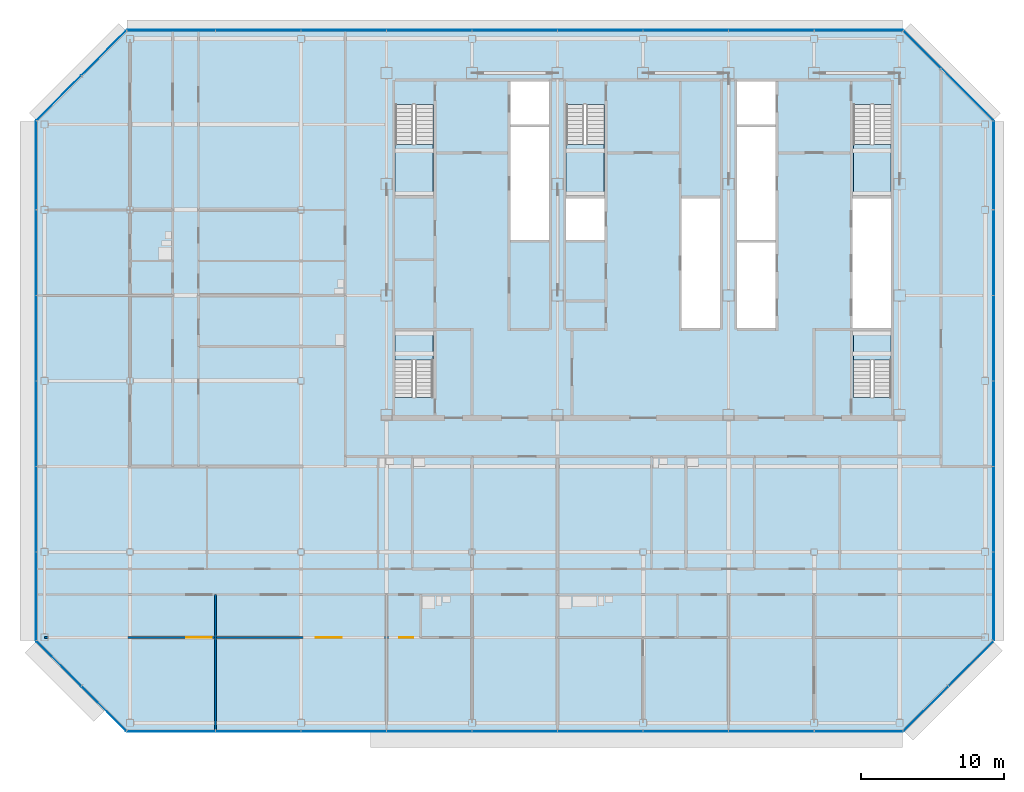
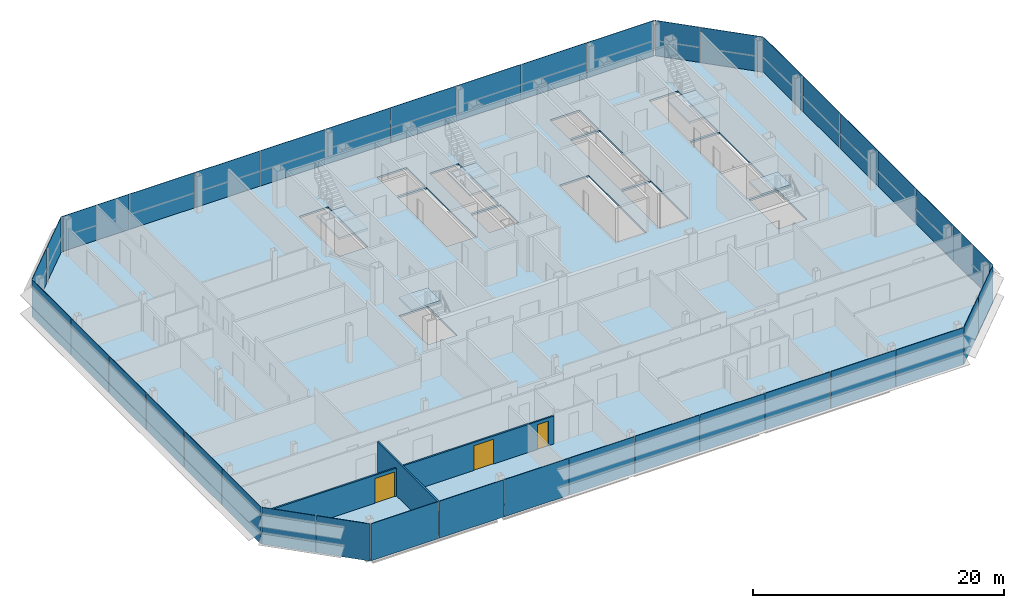
# One storey, part 20 of 27: 38 plates, 6 slabs, 3 doors, 2 walls, 3 openings, 13 elements without a shape of their own.
"""IFC4 building model written with IfcOpenShell, lengths in metres."""

from ifc_helpers import new_model, si_unit, direction, frame, frame_2d, origin, origin_2d, place, context, subcontext, project, spatial, polyline, rectangle, outline, extrude, material, layer, layer_set, type_object, element, fill, aggregate, save


model = new_model("IFC4")

# Units and contexts
model_context = context("Model", 3, precision=1e-05, world=origin(), true_north=direction((0.0, 1.0)))
body_context = subcontext(model_context, "Body", "Model", "MODEL_VIEW")
ifc_project = project(units=[si_unit("LENGTHUNIT", "METRE"), si_unit("AREAUNIT", "SQUARE_METRE"), si_unit("VOLUMEUNIT", "CUBIC_METRE"), si_unit("PLANEANGLEUNIT", "RADIAN"), si_unit("MASSUNIT", "GRAM", prefix="KILO")], contexts=[model_context])

# Site, building, storey
site_placement = place(None, origin())
site = spatial("IfcSite", under=ifc_project, at=site_placement, CompositionType="ELEMENT")
building_placement = place(site_placement, origin())
building = spatial("IfcBuilding", under=site, at=building_placement, Name="Sorahane Residences", CompositionType="ELEMENT")
storey_placement = place(building_placement, frame((0.0, 0.0, 323.199951171875)))
storey = spatial("IfcBuildingStorey", under=building, at=storey_placement, Name="L77", CompositionType="ELEMENT", Elevation=323.199951171875)

# Slab
ifc_material_1 = material(Name="Concrete C35", Category="concrete")
ifc_layer_1 = layer(ifc_material_1, 0.179931640625)
ifc_layer_set_1 = layer_set([ifc_layer_1], Name="Composite floor slab 180 mm Concrete C35")
slab_type_1 = type_object("IfcSlabType", Name="Composite floor slab 180 mm Concrete C35", PredefinedType="FLOOR", material=ifc_layer_set_1)
slab_1_placement = place(storey_placement, frame((0.0, 0.0, -0.179931640625)))
element("IfcSlab", 1, at=slab_1_placement, inside=storey, type_object=slab_type_1, Name="Slab L77", PredefinedType="FLOOR", context=body_context, shape_type="SweptSolid", body=[
    extrude(outline(polyline([(-12.24853515625, -0.60009765625), (-18.60009765625, 5.75146484375), (-18.60009765625, 42.24853515625), (-12.24853515625, 48.60009765625), (42.24853515625, 48.60009765625), (48.60009765625, 42.24853515625), (48.60009765625, 5.75146484375), (42.24853515625, -0.60009765625), (-12.24853515625, -0.60009765625)]), holes=[polyline([(38.699951171875, 27.699951171875), (41.39990234375, 27.699951171875), (41.39990234375, 36.800048828125), (38.699951171875, 36.800048828125), (38.699951171875, 27.699951171875)]), polyline([(30.60009765625, 27.699951171875), (33.300048828125, 27.699951171875), (33.300048828125, 33.699951171875), (30.60009765625, 33.699951171875), (30.60009765625, 27.699951171875)]), polyline([(30.60009765625, 42.0), (33.300048828125, 42.0), (33.300048828125, 45.0), (30.60009765625, 45.0), (30.60009765625, 42.0)]), polyline([(14.699951171875, 42.0), (17.39990234375, 42.0), (17.39990234375, 45.0), (14.699951171875, 45.0), (14.699951171875, 42.0)]), polyline([(6.60009765625, 43.39990234375), (6.60009765625, 37.0), (9.25, 37.0), (9.25, 43.39990234375), (6.60009765625, 43.39990234375)]), polyline([(38.75, 43.39990234375), (38.75, 37.0), (41.39990234375, 37.0), (41.39990234375, 43.39990234375), (38.75, 43.39990234375)]), polyline([(18.60009765625, 43.39990234375), (18.60009765625, 37.0), (21.25, 37.0), (21.25, 43.39990234375), (18.60009765625, 43.39990234375)]), polyline([(9.25, 22.85009765625), (9.25, 27.5), (6.60009765625, 27.5), (6.60009765625, 22.85009765625), (9.25, 22.85009765625)]), polyline([(41.39990234375, 22.85009765625), (41.39990234375, 27.5), (38.75, 27.5), (38.75, 22.85009765625), (41.39990234375, 22.85009765625)]), polyline([(14.699951171875, 33.89990234375), (17.39990234375, 33.89990234375), (17.39990234375, 41.800048828125), (14.699951171875, 41.800048828125), (14.699951171875, 33.89990234375)]), polyline([(30.60009765625, 33.89990234375), (33.300048828125, 33.89990234375), (33.300048828125, 41.800048828125), (30.60009765625, 41.800048828125), (30.60009765625, 33.89990234375)]), polyline([(18.60009765625, 33.89990234375), (21.300048828125, 33.89990234375), (21.300048828125, 36.800048828125), (18.60009765625, 36.800048828125), (18.60009765625, 33.89990234375)]), polyline([(26.699951171875, 27.699951171875), (29.39990234375, 27.699951171875), (29.39990234375, 36.800048828125), (26.699951171875, 36.800048828125), (26.699951171875, 27.699951171875)])]), origin(), (0.0, 0.0, 1.0), 0.179931640625),
])

# Curtain wall, plates
ifc_material_2 = material(Name="Dark low-e glass and black anodised aluminium", Category="aluminium")
curtain_wall_type_1 = type_object("IfcCurtainWallType", Name="Curtain wall CW-1 Typical unitised wall", PredefinedType="NOTDEFINED", material=ifc_material_2)
curtain_wall_1_placement = place(storey_placement, origin())
curtain_wall_1 = element("IfcCurtainWall", 2, at=curtain_wall_1_placement, inside=storey, type_object=curtain_wall_type_1, Name="CW-1 curtain wall L77 S1", PredefinedType="NOTDEFINED")
ifc_material_3 = material(Name="Dark low-e glass with black ceramic frit", Category="glass")
ifc_layer_2 = layer(ifc_material_3, 0.0400390625)
ifc_layer_set_2 = layer_set([ifc_layer_2], Name="Curtain wall glass panel dark low-e with black frit spandrel band")
plate_type = type_object("IfcPlateType", Name="Curtain wall glass panel dark low-e with black frit spandrel band", PredefinedType="CURTAIN_PANEL", material=ifc_layer_set_2)
plate_1_placement = place(storey_placement, frame((-9.11181640625, -0.60009765625, -0.179931640625), z_axis=(0.0, 0.0, 1.0), x_axis=(1.0, 0.0, 0.0)))
plate_1 = element("IfcPlate", 3, at=plate_1_placement, type_object=plate_type, Name="CW-1 glass panel L77 S1.1", PredefinedType="CURTAIN_PANEL", context=body_context, shape_type="SweptSolid", body=[
    extrude(rectangle(XDim=6.173583984375, YDim=0.0400390625, at=origin_2d()), origin(), (0.0, 0.0, 1.0), 3.60009765625),
])
plate_2_placement = place(storey_placement, frame((-3.0, -0.60009765625, -0.179931640625), z_axis=(0.0, 0.0, 1.0), x_axis=(1.0, 0.0, 0.0)))
plate_2 = element("IfcPlate", 4, at=plate_2_placement, type_object=plate_type, Name="CW-1 glass panel L77 S1.2", PredefinedType="CURTAIN_PANEL", context=body_context, shape_type="SweptSolid", body=[
    extrude(rectangle(XDim=5.949951171875, YDim=0.0400390625, at=origin_2d()), origin(), (0.0, 0.0, 1.0), 3.60009765625),
])
plate_3_placement = place(storey_placement, frame((3.0, -0.60009765625, -0.179931640625), z_axis=(0.0, 0.0, 1.0), x_axis=(1.0, 0.0, 0.0)))
plate_3 = element("IfcPlate", 5, at=plate_3_placement, type_object=plate_type, Name="CW-1 glass panel L77 S1.3", PredefinedType="CURTAIN_PANEL", context=body_context, shape_type="SweptSolid", body=[
    extrude(rectangle(XDim=5.949951171875, YDim=0.0400390625, at=origin_2d()), origin(), (0.0, 0.0, 1.0), 3.60009765625),
])
plate_4_placement = place(storey_placement, frame((9.0, -0.60009765625, -0.179931640625), z_axis=(0.0, 0.0, 1.0), x_axis=(1.0, 0.0, 0.0)))
plate_4 = element("IfcPlate", 6, at=plate_4_placement, type_object=plate_type, Name="CW-1 glass panel L77 S1.4", PredefinedType="CURTAIN_PANEL", context=body_context, shape_type="SweptSolid", body=[
    extrude(rectangle(XDim=5.949951171875, YDim=0.0400390625, at=origin_2d()), origin(), (0.0, 0.0, 1.0), 3.60009765625),
])
plate_5_placement = place(storey_placement, frame((15.0, -0.60009765625, -0.179931640625), z_axis=(0.0, 0.0, 1.0), x_axis=(1.0, 0.0, 0.0)))
plate_5 = element("IfcPlate", 7, at=plate_5_placement, type_object=plate_type, Name="CW-1 glass panel L77 S1.5", PredefinedType="CURTAIN_PANEL", context=body_context, shape_type="SweptSolid", body=[
    extrude(rectangle(XDim=5.949951171875, YDim=0.0400390625, at=origin_2d()), origin(), (0.0, 0.0, 1.0), 3.60009765625),
])
plate_6_placement = place(storey_placement, frame((21.0, -0.60009765625, -0.179931640625), z_axis=(0.0, 0.0, 1.0), x_axis=(1.0, 0.0, 0.0)))
plate_6 = element("IfcPlate", 8, at=plate_6_placement, type_object=plate_type, Name="CW-1 glass panel L77 S1.6", PredefinedType="CURTAIN_PANEL", context=body_context, shape_type="SweptSolid", body=[
    extrude(rectangle(XDim=5.949951171875, YDim=0.0400390625, at=origin_2d()), origin(), (0.0, 0.0, 1.0), 3.60009765625),
])
plate_7_placement = place(storey_placement, frame((27.0, -0.60009765625, -0.179931640625), z_axis=(0.0, 0.0, 1.0), x_axis=(1.0, 0.0, 0.0)))
plate_7 = element("IfcPlate", 9, at=plate_7_placement, type_object=plate_type, Name="CW-1 glass panel L77 S1.7", PredefinedType="CURTAIN_PANEL", context=body_context, shape_type="SweptSolid", body=[
    extrude(rectangle(XDim=5.949951171875, YDim=0.0400390625, at=origin_2d()), origin(), (0.0, 0.0, 1.0), 3.60009765625),
])
plate_8_placement = place(storey_placement, frame((33.0, -0.60009765625, -0.179931640625), z_axis=(0.0, 0.0, 1.0), x_axis=(1.0, 0.0, 0.0)))
plate_8 = element("IfcPlate", 10, at=plate_8_placement, type_object=plate_type, Name="CW-1 glass panel L77 S1.8", PredefinedType="CURTAIN_PANEL", context=body_context, shape_type="SweptSolid", body=[
    extrude(rectangle(XDim=5.949951171875, YDim=0.0400390625, at=origin_2d()), origin(), (0.0, 0.0, 1.0), 3.60009765625),
])
plate_9_placement = place(storey_placement, frame((39.11181640625, -0.60009765625, -0.179931640625), z_axis=(0.0, 0.0, 1.0), x_axis=(1.0, 0.0, 0.0)))
plate_9 = element("IfcPlate", 11, at=plate_9_placement, type_object=plate_type, Name="CW-1 glass panel L77 S1.9", PredefinedType="CURTAIN_PANEL", context=body_context, shape_type="SweptSolid", body=[
    extrude(rectangle(XDim=6.173583984375, YDim=0.0400390625, at=origin_2d()), origin(), (0.0, 0.0, 1.0), 3.60009765625),
])
aggregate(curtain_wall_1, [plate_1, plate_2, plate_3, plate_4, plate_5, plate_6, plate_7, plate_8, plate_9])

ifc_material_4 = material(Name="Dark low-e glass and black anodised aluminium", Category="aluminium")
curtain_wall_type_2 = type_object("IfcCurtainWallType", Name="Curtain wall CW-2 Chamfer unitised wall", PredefinedType="NOTDEFINED", material=ifc_material_4)
curtain_wall_2_placement = place(storey_placement, origin())
curtain_wall_2 = element("IfcCurtainWall", 12, at=curtain_wall_2_placement, inside=storey, type_object=curtain_wall_type_2, Name="CW-2 curtain wall L77 SE1", PredefinedType="NOTDEFINED")
plate_10_placement = place(storey_placement, frame((43.84521484375, 0.996826171875, -0.179931640625), z_axis=(0.0, 0.0, 1.0), x_axis=(0.707106781187, 0.707106781187, 0.0)))
plate_10 = element("IfcPlate", 13, at=plate_10_placement, type_object=plate_type, Name="CW-2 glass panel L77 SE1.1", PredefinedType="CURTAIN_PANEL", context=body_context, shape_type="SweptSolid", body=[
    extrude(rectangle(XDim=4.416259765625, YDim=0.0400390625, at=origin_2d()), origin(), (0.0, 0.0, 1.0), 3.60009765625),
])
plate_11_placement = place(storey_placement, frame((47.003173828125, 4.15478515625, -0.179931640625), z_axis=(0.0, 0.0, 1.0), x_axis=(0.707106781187, 0.707106781187, 0.0)))
plate_11 = element("IfcPlate", 14, at=plate_11_placement, type_object=plate_type, Name="CW-2 glass panel L77 SE1.2", PredefinedType="CURTAIN_PANEL", context=body_context, shape_type="SweptSolid", body=[
    extrude(rectangle(XDim=4.416259765625, YDim=0.0400390625, at=origin_2d()), origin(), (0.0, 0.0, 1.0), 3.60009765625),
])
aggregate(curtain_wall_2, [plate_10, plate_11])

curtain_wall_3_placement = place(storey_placement, origin())
curtain_wall_3 = element("IfcCurtainWall", 15, at=curtain_wall_3_placement, inside=storey, type_object=curtain_wall_type_1, Name="CW-1 curtain wall L77 E1", PredefinedType="NOTDEFINED")
plate_12_placement = place(storey_placement, frame((48.60009765625, 8.88818359375, -0.179931640625), z_axis=(0.0, 0.0, 1.0), x_axis=(0.0, 1.0, 0.0)))
plate_12 = element("IfcPlate", 16, at=plate_12_placement, type_object=plate_type, Name="CW-1 glass panel L77 E1.1", PredefinedType="CURTAIN_PANEL", context=body_context, shape_type="SweptSolid", body=[
    extrude(rectangle(XDim=6.173583984375, YDim=0.0400390625, at=origin_2d()), origin(), (0.0, 0.0, 1.0), 3.60009765625),
])
plate_13_placement = place(storey_placement, frame((48.60009765625, 15.0, -0.179931640625), z_axis=(0.0, 0.0, 1.0), x_axis=(0.0, 1.0, 0.0)))
plate_13 = element("IfcPlate", 17, at=plate_13_placement, type_object=plate_type, Name="CW-1 glass panel L77 E1.2", PredefinedType="CURTAIN_PANEL", context=body_context, shape_type="SweptSolid", body=[
    extrude(rectangle(XDim=5.949951171875, YDim=0.0400390625, at=origin_2d()), origin(), (0.0, 0.0, 1.0), 3.60009765625),
])
plate_14_placement = place(storey_placement, frame((48.60009765625, 21.0, -0.179931640625), z_axis=(0.0, 0.0, 1.0), x_axis=(0.0, 1.0, 0.0)))
plate_14 = element("IfcPlate", 18, at=plate_14_placement, type_object=plate_type, Name="CW-1 glass panel L77 E1.3", PredefinedType="CURTAIN_PANEL", context=body_context, shape_type="SweptSolid", body=[
    extrude(rectangle(XDim=5.949951171875, YDim=0.0400390625, at=origin_2d()), origin(), (0.0, 0.0, 1.0), 3.60009765625),
])
plate_15_placement = place(storey_placement, frame((48.60009765625, 27.0, -0.179931640625), z_axis=(0.0, 0.0, 1.0), x_axis=(0.0, 1.0, 0.0)))
plate_15 = element("IfcPlate", 19, at=plate_15_placement, type_object=plate_type, Name="CW-1 glass panel L77 E1.4", PredefinedType="CURTAIN_PANEL", context=body_context, shape_type="SweptSolid", body=[
    extrude(rectangle(XDim=5.949951171875, YDim=0.0400390625, at=origin_2d()), origin(), (0.0, 0.0, 1.0), 3.60009765625),
])
plate_16_placement = place(storey_placement, frame((48.60009765625, 33.0, -0.179931640625), z_axis=(0.0, 0.0, 1.0), x_axis=(0.0, 1.0, 0.0)))
plate_16 = element("IfcPlate", 20, at=plate_16_placement, type_object=plate_type, Name="CW-1 glass panel L77 E1.5", PredefinedType="CURTAIN_PANEL", context=body_context, shape_type="SweptSolid", body=[
    extrude(rectangle(XDim=5.949951171875, YDim=0.0400390625, at=origin_2d()), origin(), (0.0, 0.0, 1.0), 3.60009765625),
])
plate_17_placement = place(storey_placement, frame((48.60009765625, 39.11181640625, -0.179931640625), z_axis=(0.0, 0.0, 1.0), x_axis=(0.0, 1.0, 0.0)))
plate_17 = element("IfcPlate", 21, at=plate_17_placement, type_object=plate_type, Name="CW-1 glass panel L77 E1.6", PredefinedType="CURTAIN_PANEL", context=body_context, shape_type="SweptSolid", body=[
    extrude(rectangle(XDim=6.173583984375, YDim=0.0400390625, at=origin_2d()), origin(), (0.0, 0.0, 1.0), 3.60009765625),
])
aggregate(curtain_wall_3, [plate_12, plate_13, plate_14, plate_15, plate_16, plate_17])

curtain_wall_4_placement = place(storey_placement, origin())
curtain_wall_4 = element("IfcCurtainWall", 22, at=curtain_wall_4_placement, inside=storey, type_object=curtain_wall_type_2, Name="CW-2 curtain wall L77 NE1", PredefinedType="NOTDEFINED")
plate_18_placement = place(storey_placement, frame((46.740966796875, 44.107421875, -0.179931640625), z_axis=(0.0, 0.0, 1.0), x_axis=(-0.707106781187, 0.707106781187, 0.0)))
plate_18 = element("IfcPlate", 23, at=plate_18_placement, type_object=plate_type, Name="CW-2 glass panel L77 NE1.1", PredefinedType="CURTAIN_PANEL", context=body_context, shape_type="SweptSolid", body=[
    extrude(rectangle(XDim=5.157958984375, YDim=0.0400390625, at=origin_2d()), origin(), (0.0, 0.0, 1.0), 3.60009765625),
])
plate_19_placement = place(storey_placement, frame((43.5830078125, 47.265625, -0.179931640625), z_axis=(0.0, 0.0, 1.0), x_axis=(-0.707106781187, 0.707106781187, 0.0)))
plate_19 = element("IfcPlate", 24, at=plate_19_placement, type_object=plate_type, Name="CW-2 glass panel L77 NE1.2", PredefinedType="CURTAIN_PANEL", context=body_context, shape_type="SweptSolid", body=[
    extrude(rectangle(XDim=3.67431640625, YDim=0.0400390625, at=origin_2d()), origin(), (0.0, 0.0, 1.0), 3.60009765625),
])
aggregate(curtain_wall_4, [plate_18, plate_19])

curtain_wall_5_placement = place(storey_placement, origin())
curtain_wall_5 = element("IfcCurtainWall", 25, at=curtain_wall_5_placement, inside=storey, type_object=curtain_wall_type_1, Name="CW-1 curtain wall L77 N1", PredefinedType="NOTDEFINED")
plate_20_placement = place(storey_placement, frame((39.11181640625, 48.60009765625, -0.179931640625), z_axis=(0.0, 0.0, 1.0), x_axis=(-1.0, 0.0, 0.0)))
plate_20 = element("IfcPlate", 26, at=plate_20_placement, type_object=plate_type, Name="CW-1 glass panel L77 N1.1", PredefinedType="CURTAIN_PANEL", context=body_context, shape_type="SweptSolid", body=[
    extrude(rectangle(XDim=6.173583984375, YDim=0.0400390625, at=origin_2d()), origin(), (0.0, 0.0, 1.0), 3.60009765625),
])
plate_21_placement = place(storey_placement, frame((33.0, 48.60009765625, -0.179931640625), z_axis=(0.0, 0.0, 1.0), x_axis=(-1.0, 0.0, 0.0)))
plate_21 = element("IfcPlate", 27, at=plate_21_placement, type_object=plate_type, Name="CW-1 glass panel L77 N1.2", PredefinedType="CURTAIN_PANEL", context=body_context, shape_type="SweptSolid", body=[
    extrude(rectangle(XDim=5.949951171875, YDim=0.0400390625, at=origin_2d()), origin(), (0.0, 0.0, 1.0), 3.60009765625),
])
plate_22_placement = place(storey_placement, frame((27.0, 48.60009765625, -0.179931640625), z_axis=(0.0, 0.0, 1.0), x_axis=(-1.0, 0.0, 0.0)))
plate_22 = element("IfcPlate", 28, at=plate_22_placement, type_object=plate_type, Name="CW-1 glass panel L77 N1.3", PredefinedType="CURTAIN_PANEL", context=body_context, shape_type="SweptSolid", body=[
    extrude(rectangle(XDim=5.949951171875, YDim=0.0400390625, at=origin_2d()), origin(), (0.0, 0.0, 1.0), 3.60009765625),
])
plate_23_placement = place(storey_placement, frame((21.0, 48.60009765625, -0.179931640625), z_axis=(0.0, 0.0, 1.0), x_axis=(-1.0, 0.0, 0.0)))
plate_23 = element("IfcPlate", 29, at=plate_23_placement, type_object=plate_type, Name="CW-1 glass panel L77 N1.4", PredefinedType="CURTAIN_PANEL", context=body_context, shape_type="SweptSolid", body=[
    extrude(rectangle(XDim=5.949951171875, YDim=0.0400390625, at=origin_2d()), origin(), (0.0, 0.0, 1.0), 3.60009765625),
])
plate_24_placement = place(storey_placement, frame((15.0, 48.60009765625, -0.179931640625), z_axis=(0.0, 0.0, 1.0), x_axis=(-1.0, 0.0, 0.0)))
plate_24 = element("IfcPlate", 30, at=plate_24_placement, type_object=plate_type, Name="CW-1 glass panel L77 N1.5", PredefinedType="CURTAIN_PANEL", context=body_context, shape_type="SweptSolid", body=[
    extrude(rectangle(XDim=5.949951171875, YDim=0.0400390625, at=origin_2d()), origin(), (0.0, 0.0, 1.0), 3.60009765625),
])
plate_25_placement = place(storey_placement, frame((9.0, 48.60009765625, -0.179931640625), z_axis=(0.0, 0.0, 1.0), x_axis=(-1.0, 0.0, 0.0)))
plate_25 = element("IfcPlate", 31, at=plate_25_placement, type_object=plate_type, Name="CW-1 glass panel L77 N1.6", PredefinedType="CURTAIN_PANEL", context=body_context, shape_type="SweptSolid", body=[
    extrude(rectangle(XDim=5.949951171875, YDim=0.0400390625, at=origin_2d()), origin(), (0.0, 0.0, 1.0), 3.60009765625),
])
plate_26_placement = place(storey_placement, frame((3.0, 48.60009765625, -0.179931640625), z_axis=(0.0, 0.0, 1.0), x_axis=(-1.0, 0.0, 0.0)))
plate_26 = element("IfcPlate", 32, at=plate_26_placement, type_object=plate_type, Name="CW-1 glass panel L77 N1.7", PredefinedType="CURTAIN_PANEL", context=body_context, shape_type="SweptSolid", body=[
    extrude(rectangle(XDim=5.949951171875, YDim=0.0400390625, at=origin_2d()), origin(), (0.0, 0.0, 1.0), 3.60009765625),
])
plate_27_placement = place(storey_placement, frame((-3.0, 48.60009765625, -0.179931640625), z_axis=(0.0, 0.0, 1.0), x_axis=(-1.0, 0.0, 0.0)))
plate_27 = element("IfcPlate", 33, at=plate_27_placement, type_object=plate_type, Name="CW-1 glass panel L77 N1.8", PredefinedType="CURTAIN_PANEL", context=body_context, shape_type="SweptSolid", body=[
    extrude(rectangle(XDim=5.949951171875, YDim=0.0400390625, at=origin_2d()), origin(), (0.0, 0.0, 1.0), 3.60009765625),
])
plate_28_placement = place(storey_placement, frame((-9.11181640625, 48.60009765625, -0.179931640625), z_axis=(0.0, 0.0, 1.0), x_axis=(-1.0, 0.0, 0.0)))
plate_28 = element("IfcPlate", 34, at=plate_28_placement, type_object=plate_type, Name="CW-1 glass panel L77 N1.9", PredefinedType="CURTAIN_PANEL", context=body_context, shape_type="SweptSolid", body=[
    extrude(rectangle(XDim=6.173583984375, YDim=0.0400390625, at=origin_2d()), origin(), (0.0, 0.0, 1.0), 3.60009765625),
])
aggregate(curtain_wall_5, [plate_20, plate_21, plate_22, plate_23, plate_24, plate_25, plate_26, plate_27, plate_28])

curtain_wall_6_placement = place(storey_placement, origin())
curtain_wall_6 = element("IfcCurtainWall", 35, at=curtain_wall_6_placement, inside=storey, type_object=curtain_wall_type_2, Name="CW-2 curtain wall L77 NW1", PredefinedType="NOTDEFINED")
plate_29_placement = place(storey_placement, frame((-13.84521484375, 47.003173828125, -0.179931640625), z_axis=(0.0, 0.0, 1.0), x_axis=(-0.707106781187, -0.707106781187, 0.0)))
plate_29 = element("IfcPlate", 36, at=plate_29_placement, type_object=plate_type, Name="CW-2 glass panel L77 NW1.1", PredefinedType="CURTAIN_PANEL", context=body_context, shape_type="SweptSolid", body=[
    extrude(rectangle(XDim=4.416259765625, YDim=0.0400390625, at=origin_2d()), origin(), (0.0, 0.0, 1.0), 3.60009765625),
])
plate_30_placement = place(storey_placement, frame((-17.003173828125, 43.84521484375, -0.179931640625), z_axis=(0.0, 0.0, 1.0), x_axis=(-0.707106781187, -0.707106781187, 0.0)))
plate_30 = element("IfcPlate", 37, at=plate_30_placement, type_object=plate_type, Name="CW-2 glass panel L77 NW1.2", PredefinedType="CURTAIN_PANEL", context=body_context, shape_type="SweptSolid", body=[
    extrude(rectangle(XDim=4.416259765625, YDim=0.0400390625, at=origin_2d()), origin(), (0.0, 0.0, 1.0), 3.60009765625),
])
aggregate(curtain_wall_6, [plate_29, plate_30])

curtain_wall_7_placement = place(storey_placement, origin())
curtain_wall_7 = element("IfcCurtainWall", 38, at=curtain_wall_7_placement, inside=storey, type_object=curtain_wall_type_1, Name="CW-1 curtain wall L77 W1", PredefinedType="NOTDEFINED")
plate_31_placement = place(storey_placement, frame((-18.60009765625, 39.11181640625, -0.179931640625), z_axis=(0.0, 0.0, 1.0), x_axis=(0.0, -1.0, 0.0)))
plate_31 = element("IfcPlate", 39, at=plate_31_placement, type_object=plate_type, Name="CW-1 glass panel L77 W1.1", PredefinedType="CURTAIN_PANEL", context=body_context, shape_type="SweptSolid", body=[
    extrude(rectangle(XDim=6.173583984375, YDim=0.0400390625, at=origin_2d()), origin(), (0.0, 0.0, 1.0), 3.60009765625),
])
plate_32_placement = place(storey_placement, frame((-18.60009765625, 33.0, -0.179931640625), z_axis=(0.0, 0.0, 1.0), x_axis=(0.0, -1.0, 0.0)))
plate_32 = element("IfcPlate", 40, at=plate_32_placement, type_object=plate_type, Name="CW-1 glass panel L77 W1.2", PredefinedType="CURTAIN_PANEL", context=body_context, shape_type="SweptSolid", body=[
    extrude(rectangle(XDim=5.949951171875, YDim=0.0400390625, at=origin_2d()), origin(), (0.0, 0.0, 1.0), 3.60009765625),
])
plate_33_placement = place(storey_placement, frame((-18.60009765625, 27.0, -0.179931640625), z_axis=(0.0, 0.0, 1.0), x_axis=(0.0, -1.0, 0.0)))
plate_33 = element("IfcPlate", 41, at=plate_33_placement, type_object=plate_type, Name="CW-1 glass panel L77 W1.3", PredefinedType="CURTAIN_PANEL", context=body_context, shape_type="SweptSolid", body=[
    extrude(rectangle(XDim=5.949951171875, YDim=0.0400390625, at=origin_2d()), origin(), (0.0, 0.0, 1.0), 3.60009765625),
])
plate_34_placement = place(storey_placement, frame((-18.60009765625, 21.0, -0.179931640625), z_axis=(0.0, 0.0, 1.0), x_axis=(0.0, -1.0, 0.0)))
plate_34 = element("IfcPlate", 42, at=plate_34_placement, type_object=plate_type, Name="CW-1 glass panel L77 W1.4", PredefinedType="CURTAIN_PANEL", context=body_context, shape_type="SweptSolid", body=[
    extrude(rectangle(XDim=5.949951171875, YDim=0.0400390625, at=origin_2d()), origin(), (0.0, 0.0, 1.0), 3.60009765625),
])
plate_35_placement = place(storey_placement, frame((-18.60009765625, 15.0, -0.179931640625), z_axis=(0.0, 0.0, 1.0), x_axis=(0.0, -1.0, 0.0)))
plate_35 = element("IfcPlate", 43, at=plate_35_placement, type_object=plate_type, Name="CW-1 glass panel L77 W1.5", PredefinedType="CURTAIN_PANEL", context=body_context, shape_type="SweptSolid", body=[
    extrude(rectangle(XDim=5.949951171875, YDim=0.0400390625, at=origin_2d()), origin(), (0.0, 0.0, 1.0), 3.60009765625),
])
plate_36_placement = place(storey_placement, frame((-18.60009765625, 8.88818359375, -0.179931640625), z_axis=(0.0, 0.0, 1.0), x_axis=(0.0, -1.0, 0.0)))
plate_36 = element("IfcPlate", 44, at=plate_36_placement, type_object=plate_type, Name="CW-1 glass panel L77 W1.6", PredefinedType="CURTAIN_PANEL", context=body_context, shape_type="SweptSolid", body=[
    extrude(rectangle(XDim=6.173583984375, YDim=0.0400390625, at=origin_2d()), origin(), (0.0, 0.0, 1.0), 3.60009765625),
])
aggregate(curtain_wall_7, [plate_31, plate_32, plate_33, plate_34, plate_35, plate_36])

curtain_wall_8_placement = place(storey_placement, origin())
curtain_wall_8 = element("IfcCurtainWall", 45, at=curtain_wall_8_placement, inside=storey, type_object=curtain_wall_type_2, Name="CW-2 curtain wall L77 SW1", PredefinedType="NOTDEFINED")
plate_37_placement = place(storey_placement, frame((-17.003173828125, 4.15478515625, -0.179931640625), z_axis=(0.0, 0.0, 1.0), x_axis=(0.707106781187, -0.707106781187, 0.0)))
plate_37 = element("IfcPlate", 46, at=plate_37_placement, type_object=plate_type, Name="CW-2 glass panel L77 SW1.1", PredefinedType="CURTAIN_PANEL", context=body_context, shape_type="SweptSolid", body=[
    extrude(rectangle(XDim=4.416259765625, YDim=0.0400390625, at=origin_2d()), origin(), (0.0, 0.0, 1.0), 3.60009765625),
])
plate_38_placement = place(storey_placement, frame((-13.84521484375, 0.996826171875, -0.179931640625), z_axis=(0.0, 0.0, 1.0), x_axis=(0.707106781187, -0.707106781187, 0.0)))
plate_38 = element("IfcPlate", 47, at=plate_38_placement, type_object=plate_type, Name="CW-2 glass panel L77 SW1.2", PredefinedType="CURTAIN_PANEL", context=body_context, shape_type="SweptSolid", body=[
    extrude(rectangle(XDim=4.416259765625, YDim=0.0400390625, at=origin_2d()), origin(), (0.0, 0.0, 1.0), 3.60009765625),
])
aggregate(curtain_wall_8, [plate_37, plate_38])

# Stair, slab
ifc_material_5 = material(Name="Concrete C40", Category="concrete")
stair_type = type_object("IfcStairType", Name="Dog-leg stair 1250 Concrete C40", PredefinedType="HALF_TURN_STAIR", material=ifc_material_5)
stair_1_placement = place(storey_placement, origin())
stair_1 = element("IfcStair", 48, at=stair_1_placement, inside=storey, type_object=stair_type, Name="L77 Stair S1", PredefinedType="HALF_TURN_STAIR")
ifc_material_6 = material(Name="Concrete C40", Category="concrete")
ifc_layer_3 = layer(ifc_material_6, 0.199951171875)
ifc_layer_set_3 = layer_set([ifc_layer_3], Name="Stair landing 200 Concrete C40")
slab_type_2 = type_object("IfcSlabType", Name="Stair landing 200 Concrete C40", PredefinedType="LANDING", material=ifc_layer_set_3)
slab_2_placement = place(storey_placement, frame((0.0, 0.0, 1.60009765625)))
slab_2 = element("IfcSlab", 49, at=slab_2_placement, type_object=slab_type_2, Name="S1 landing 1", PredefinedType="LANDING", context=body_context, shape_type="SweptSolid", body=[
    extrude(outline(polyline([(6.60009765625, 40.60009765625), (6.60009765625, 37.0), (9.25, 37.0), (9.25, 40.60009765625), (6.60009765625, 40.60009765625)])), origin(), (0.0, 0.0, 1.0), 0.199951171875),
])
aggregate(stair_1, [slab_2])

stair_2_placement = place(storey_placement, origin())
stair_2 = element("IfcStair", 50, at=stair_2_placement, inside=storey, type_object=stair_type, Name="L77 Stair S2", PredefinedType="HALF_TURN_STAIR")
slab_3_placement = place(storey_placement, frame((0.0, 0.0, 1.60009765625)))
slab_3 = element("IfcSlab", 51, at=slab_3_placement, type_object=slab_type_2, Name="S2 landing 1", PredefinedType="LANDING", context=body_context, shape_type="SweptSolid", body=[
    extrude(outline(polyline([(38.75, 40.60009765625), (38.75, 37.0), (41.39990234375, 37.0), (41.39990234375, 40.60009765625), (38.75, 40.60009765625)])), origin(), (0.0, 0.0, 1.0), 0.199951171875),
])
aggregate(stair_2, [slab_3])

stair_3_placement = place(storey_placement, origin())
stair_3 = element("IfcStair", 52, at=stair_3_placement, inside=storey, type_object=stair_type, Name="L77 Stair S3", PredefinedType="HALF_TURN_STAIR")
slab_4_placement = place(storey_placement, frame((0.0, 0.0, 1.60009765625)))
slab_4 = element("IfcSlab", 53, at=slab_4_placement, type_object=slab_type_2, Name="S3 landing 1", PredefinedType="LANDING", context=body_context, shape_type="SweptSolid", body=[
    extrude(outline(polyline([(18.60009765625, 40.60009765625), (18.60009765625, 37.0), (21.25, 37.0), (21.25, 40.60009765625), (18.60009765625, 40.60009765625)])), origin(), (0.0, 0.0, 1.0), 0.199951171875),
])
aggregate(stair_3, [slab_4])

stair_4_placement = place(storey_placement, origin())
stair_4 = element("IfcStair", 54, at=stair_4_placement, inside=storey, type_object=stair_type, Name="L77 Stair S4", PredefinedType="HALF_TURN_STAIR")
slab_5_placement = place(storey_placement, frame((0.0, 0.0, 1.60009765625)))
slab_5 = element("IfcSlab", 55, at=slab_5_placement, type_object=slab_type_2, Name="S4 landing 1", PredefinedType="LANDING", context=body_context, shape_type="SweptSolid", body=[
    extrude(outline(polyline([(9.25, 25.449951171875), (9.25, 27.5), (6.60009765625, 27.5), (6.60009765625, 25.449951171875), (9.25, 25.449951171875)])), origin(), (0.0, 0.0, 1.0), 0.199951171875),
])
aggregate(stair_4, [slab_5])

stair_5_placement = place(storey_placement, origin())
stair_5 = element("IfcStair", 56, at=stair_5_placement, inside=storey, type_object=stair_type, Name="L77 Stair S5", PredefinedType="HALF_TURN_STAIR")
slab_6_placement = place(storey_placement, frame((0.0, 0.0, 1.60009765625)))
slab_6 = element("IfcSlab", 57, at=slab_6_placement, type_object=slab_type_2, Name="S5 landing 1", PredefinedType="LANDING", context=body_context, shape_type="SweptSolid", body=[
    extrude(outline(polyline([(41.39990234375, 25.449951171875), (41.39990234375, 27.5), (38.75, 27.5), (38.75, 25.449951171875), (41.39990234375, 25.449951171875)])), origin(), (0.0, 0.0, 1.0), 0.199951171875),
])
aggregate(stair_5, [slab_6])

# Wall
ifc_material_7 = material(Name="Gypsum board partition on steel studs", Category="steel")
ifc_layer_4 = layer(ifc_material_7, 0.14990234375)
ifc_layer_set_4 = layer_set([ifc_layer_4], Name="Partition 150 EI 90")
wall_type = type_object("IfcWallType", Name="Partition 150 EI 90", PredefinedType="PARTITIONING", material=ifc_layer_set_4)
wall_1_placement = place(storey_placement, frame((-6.0, -0.60009765625, 0.0), z_axis=(0.0, 0.0, 1.0), x_axis=(0.0, 1.0, 0.0)))
element("IfcWall", 58, at=wall_1_placement, inside=storey, type_object=wall_type, Name="L77 partition", PredefinedType="PARTITIONING", context=body_context, shape_type="SweptSolid", body=[
    extrude(rectangle(XDim=9.60009765625, YDim=0.14990234375, at=frame_2d((4.800048828125, 0.0))), origin(), (0.0, 0.0, 1.0), 3.420166015625),
])

# Wall, openings, doors
wall_2_placement = place(storey_placement, frame((-18.0, 6.0, 0.0), z_axis=(0.0, 0.0, 1.0), x_axis=(1.0, 0.0, 0.0)))
wall_2 = element("IfcWall", 59, at=wall_2_placement, inside=storey, type_object=wall_type, Name="L77 partition", PredefinedType="PARTITIONING", context=body_context, shape_type="SweptSolid", body=[
    extrude(rectangle(XDim=26.39990234375, YDim=0.14990234375, at=frame_2d((13.199951171875, 0.0))), origin(), (0.0, 0.0, 1.0), 2.719970703125),
])
opening_1_placement = place(wall_2_placement, frame((9.949951171875, 0.0, 0.0)))
opening_1 = element("IfcOpeningElement", 60, at=opening_1_placement, cuts=wall_2, Name="Opening L77-10", PredefinedType="OPENING", context=body_context, shape_type="SweptSolid", body=[
    extrude(rectangle(XDim=1.800048828125, YDim=2.39990234375, at=frame_2d((0.89990234375, 1.199951171875))), frame((0.0, 0.0849609375, 0.0), z_axis=(0.0, -1.0, 0.0), x_axis=(1.0, 0.0, 0.0)), (0.0, 0.0, 1.0), 0.169921875),
])
opening_2_placement = place(wall_2_placement, frame((19.0400390625, 0.0, 0.0)))
opening_2 = element("IfcOpeningElement", 61, at=opening_2_placement, cuts=wall_2, Name="Opening L77-11", PredefinedType="OPENING", context=body_context, shape_type="SweptSolid", body=[
    extrude(rectangle(XDim=1.800048828125, YDim=2.39990234375, at=frame_2d((0.89990234375, 1.199951171875))), frame((0.0, 0.0849609375, 0.0), z_axis=(0.0, -1.0, 0.0), x_axis=(1.0, 0.0, 0.0)), (0.0, 0.0, 1.0), 0.169921875),
])
opening_3_placement = place(wall_2_placement, frame((24.8798828125, 0.0, 0.0)))
opening_3 = element("IfcOpeningElement", 62, at=opening_3_placement, cuts=wall_2, Name="Opening L77-12", PredefinedType="OPENING", context=body_context, shape_type="SweptSolid", body=[
    extrude(rectangle(XDim=1.0, YDim=2.39990234375, at=frame_2d((0.5, 1.199951171875))), frame((0.0, 0.0849609375, 0.0), z_axis=(0.0, -1.0, 0.0), x_axis=(1.0, 0.0, 0.0)), (0.0, 0.0, 1.0), 0.169921875),
])
ifc_material_8 = material(Name="Timber veneered fire door", Category="wood")
door_type_1 = type_object("IfcDoorType", Name="Double door 1800x2400 FD30", OperationType="NOTDEFINED", PredefinedType="DOOR", material=ifc_material_8)
door_1_placement = place(opening_1_placement, frame((1.800048828125, 0.0, 0.0), z_axis=(0.0, 0.0, 1.0), x_axis=(-1.0, 0.0, 0.0)))
door_1 = element("IfcDoor", 63, at=door_1_placement, inside=storey, type_object=door_type_1, Name="Double door L77-10", OperationType="SINGLE_SWING_RIGHT", OverallHeight=2.39990234375, OverallWidth=1.800048828125, PredefinedType="DOOR", context=body_context, shape_type="SweptSolid", body=[
    extrude(rectangle(XDim=1.800048828125, YDim=2.39990234375, at=frame_2d((0.89990234375, 1.199951171875))), frame((0.0, 0.02490234375, 0.0), z_axis=(0.0, -1.0, 0.0), x_axis=(1.0, 0.0, 0.0)), (0.0, 0.0, 1.0), 0.050048828125),
])
fill(opening_1, door_1)
door_2_placement = place(opening_2_placement, frame((1.800048828125, 0.0, 0.0), z_axis=(0.0, 0.0, 1.0), x_axis=(-1.0, 0.0, 0.0)))
door_2 = element("IfcDoor", 64, at=door_2_placement, inside=storey, type_object=door_type_1, Name="Double door L77-11", OperationType="SINGLE_SWING_RIGHT", OverallHeight=2.39990234375, OverallWidth=1.800048828125, PredefinedType="DOOR", context=body_context, shape_type="SweptSolid", body=[
    extrude(rectangle(XDim=1.800048828125, YDim=2.39990234375, at=frame_2d((0.89990234375, 1.199951171875))), frame((0.0, 0.02490234375, 0.0), z_axis=(0.0, -1.0, 0.0), x_axis=(1.0, 0.0, 0.0)), (0.0, 0.0, 1.0), 0.050048828125),
])
fill(opening_2, door_2)
ifc_material_9 = material(Name="Timber veneered fire door", Category="wood")
door_type_2 = type_object("IfcDoorType", Name="Room door 1000x2400 FD30", OperationType="NOTDEFINED", PredefinedType="DOOR", material=ifc_material_9)
door_3_placement = place(opening_3_placement, frame((1.0, 0.0, 0.0), z_axis=(0.0, 0.0, 1.0), x_axis=(-1.0, 0.0, 0.0)))
door_3 = element("IfcDoor", 65, at=door_3_placement, inside=storey, type_object=door_type_2, Name="Room door L77-12", OperationType="SINGLE_SWING_RIGHT", OverallHeight=2.39990234375, OverallWidth=1.0, PredefinedType="DOOR", context=body_context, shape_type="SweptSolid", body=[
    extrude(rectangle(XDim=1.0, YDim=2.39990234375, at=frame_2d((0.5, 1.199951171875))), frame((0.0, 0.02490234375, 0.0), z_axis=(0.0, -1.0, 0.0), x_axis=(1.0, 0.0, 0.0)), (0.0, 0.0, 1.0), 0.050048828125),
])
fill(opening_3, door_3)

save(model, "model.ifc")
